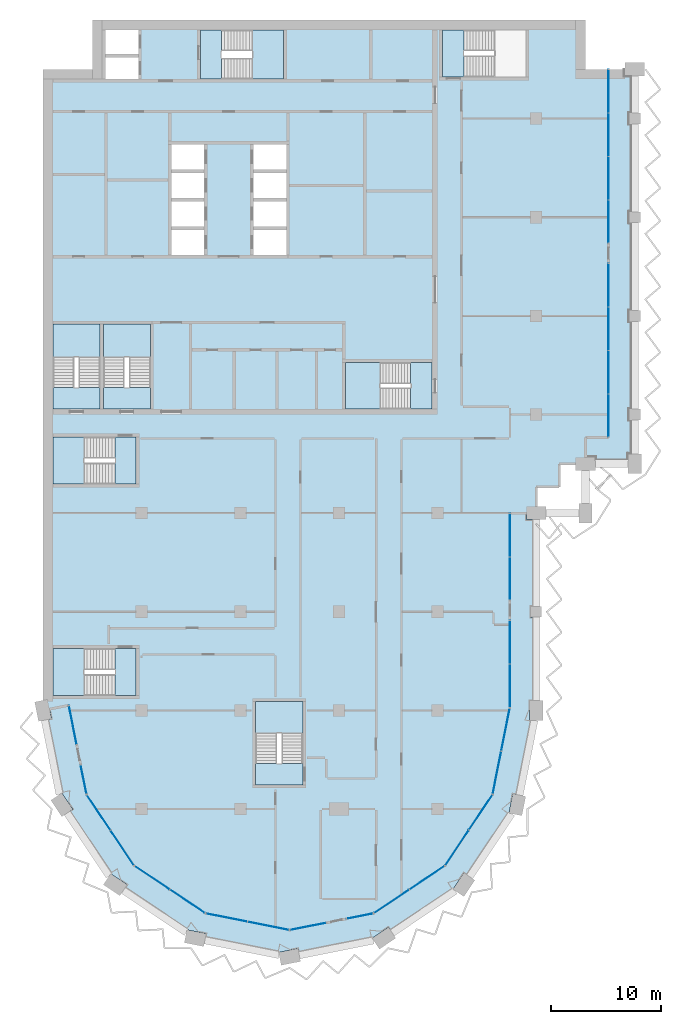
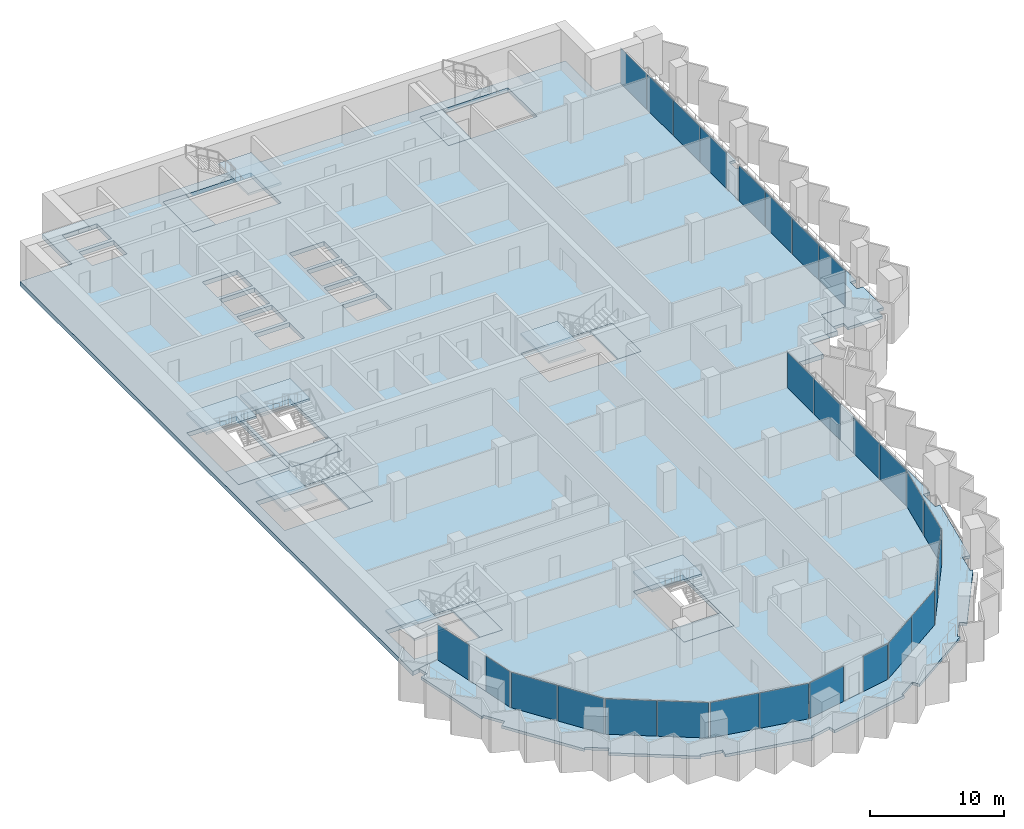
# One storey, part 6 of 17: 28 plates, 18 slabs, 21 elements without a shape of their own.
"""IFC4 building model written with IfcOpenShell, lengths in metres."""

from ifc_helpers import new_model, si_unit, direction, frame, origin, origin_2d, place, context, subcontext, project, spatial, polyline, rectangle, outline, extrude, material, layer, layer_set, type_object, element, aggregate, save


model = new_model("IFC4")

# Units and contexts
model_context = context("Model", 3, precision=1e-05, world=origin(), true_north=direction((0.0, 1.0)))
body_context = subcontext(model_context, "Body", "Model", "MODEL_VIEW")
ifc_project = project(units=[si_unit("LENGTHUNIT", "METRE"), si_unit("AREAUNIT", "SQUARE_METRE"), si_unit("VOLUMEUNIT", "CUBIC_METRE"), si_unit("PLANEANGLEUNIT", "RADIAN"), si_unit("MASSUNIT", "GRAM", prefix="KILO")], contexts=[model_context])

# Site, building, storey
site_placement = place(None, origin())
site = spatial("IfcSite", under=ifc_project, at=site_placement, CompositionType="ELEMENT")
building_placement = place(site_placement, origin())
building = spatial("IfcBuilding", under=site, at=building_placement, Name="Hunhe Ridgeline Campus", CompositionType="ELEMENT")
storey_placement = place(building_placement, frame((0.0, 0.0, 205.0)))
storey = spatial("IfcBuildingStorey", under=building, at=storey_placement, Name="L52", CompositionType="ELEMENT", Elevation=205.0)

# Curtain wall, plate
ifc_material_1 = material(Name="Aluminium 6063", Category="aluminium")
curtain_wall_type_1 = type_object("IfcCurtainWallType", Name="Curtain wall CW-5", PredefinedType="NOTDEFINED", material=ifc_material_1)
curtain_wall_1_placement = place(storey_placement, origin())
curtain_wall_1 = element("IfcCurtainWall", 1, at=curtain_wall_1_placement, inside=storey, type_object=curtain_wall_type_1, Name="Curtain wall 01", PredefinedType="NOTDEFINED")
ifc_material_2 = material(Name="Low-e laminated glass", Category="glass")
ifc_layer_1 = layer(ifc_material_2, 0.028076171875)
ifc_layer_set_1 = layer_set([ifc_layer_1], Name="Curtain wall glass panel 28 low-e laminated")
plate_type = type_object("IfcPlateType", Name="Curtain wall glass panel 28 low-e laminated", PredefinedType="CURTAIN_PANEL", material=ifc_layer_set_1)
plate_1_placement = place(storey_placement, frame((2.7158203125, 34.65380859375, 0.0), z_axis=(0.0, 0.0, 1.0), x_axis=(0.195095326561, -0.980784284924, 0.0)))
plate_1 = element("IfcPlate", 2, at=plate_1_placement, type_object=plate_type, Name="CW-5 panel 1", PredefinedType="CURTAIN_PANEL", context=body_context, shape_type="SweptSolid", body=[
    extrude(rectangle(XDim=3.560791015625, YDim=0.028076171875, at=origin_2d()), origin(), (0.0, 0.0, 1.0), 3.22998046875),
])
aggregate(curtain_wall_1, [plate_1])

curtain_wall_2_placement = place(storey_placement, origin())
curtain_wall_2 = element("IfcCurtainWall", 3, at=curtain_wall_2_placement, inside=storey, type_object=curtain_wall_type_1, Name="Curtain wall 02", PredefinedType="NOTDEFINED")
plate_2_placement = place(storey_placement, frame((3.701171875, 29.699951171875, 0.0), z_axis=(0.0, 0.0, 1.0), x_axis=(0.195095265587, -0.980784297053, 0.0)))
plate_2 = element("IfcPlate", 4, at=plate_2_placement, type_object=plate_type, Name="CW-5 panel 1", PredefinedType="CURTAIN_PANEL", context=body_context, shape_type="SweptSolid", body=[
    extrude(rectangle(XDim=2.660888671875, YDim=0.028076171875, at=origin_2d()), origin(), (0.0, 0.0, 1.0), 3.22998046875),
])
aggregate(curtain_wall_2, [plate_2])

# Curtain wall, plates
curtain_wall_3_placement = place(storey_placement, origin())
curtain_wall_3 = element("IfcCurtainWall", 5, at=curtain_wall_3_placement, inside=storey, type_object=curtain_wall_type_1, Name="Curtain wall 03", PredefinedType="NOTDEFINED")
plate_3_placement = place(storey_placement, frame((5.07080078125, 26.685546875, 0.0), z_axis=(0.0, 0.0, 1.0), x_axis=(0.555570274596, -0.831469584522, 0.0)))
plate_3 = element("IfcPlate", 6, at=plate_3_placement, type_object=plate_type, Name="CW-5 panel 1", PredefinedType="CURTAIN_PANEL", context=body_context, shape_type="SweptSolid", body=[
    extrude(rectangle(XDim=3.806884765625, YDim=0.028076171875, at=origin_2d()), origin(), (0.0, 0.0, 1.0), 3.22998046875),
])
plate_4_placement = place(storey_placement, frame((7.224609375, 23.4619140625, 0.0), z_axis=(0.0, 0.0, 1.0), x_axis=(0.555570274596, -0.831469584522, 0.0)))
plate_4 = element("IfcPlate", 7, at=plate_4_placement, type_object=plate_type, Name="CW-5 panel 2", PredefinedType="CURTAIN_PANEL", context=body_context, shape_type="SweptSolid", body=[
    extrude(rectangle(XDim=3.806884765625, YDim=0.028076171875, at=origin_2d()), origin(), (0.0, 0.0, 1.0), 3.22998046875),
])
aggregate(curtain_wall_3, [plate_3, plate_4])

curtain_wall_4_placement = place(storey_placement, origin())
curtain_wall_4 = element("IfcCurtainWall", 8, at=curtain_wall_4_placement, inside=storey, type_object=curtain_wall_type_1, Name="Curtain wall 04", PredefinedType="NOTDEFINED")
plate_5_placement = place(storey_placement, frame((9.9619140625, 20.724609375, 0.0), z_axis=(0.0, 0.0, 1.0), x_axis=(0.831469584522, -0.555570274596, 0.0)))
plate_5 = element("IfcPlate", 9, at=plate_5_placement, type_object=plate_type, Name="CW-5 panel 1", PredefinedType="CURTAIN_PANEL", context=body_context, shape_type="SweptSolid", body=[
    extrude(rectangle(XDim=3.806884765625, YDim=0.028076171875, at=origin_2d()), origin(), (0.0, 0.0, 1.0), 3.22998046875),
])
plate_6_placement = place(storey_placement, frame((13.185546875, 18.57080078125, 0.0), z_axis=(0.0, 0.0, 1.0), x_axis=(0.831469584522, -0.555570274596, 0.0)))
plate_6 = element("IfcPlate", 10, at=plate_6_placement, type_object=plate_type, Name="CW-5 panel 2", PredefinedType="CURTAIN_PANEL", context=body_context, shape_type="SweptSolid", body=[
    extrude(rectangle(XDim=3.806884765625, YDim=0.028076171875, at=origin_2d()), origin(), (0.0, 0.0, 1.0), 3.22998046875),
])
aggregate(curtain_wall_4, [plate_5, plate_6])

curtain_wall_5_placement = place(storey_placement, origin())
curtain_wall_5 = element("IfcCurtainWall", 11, at=curtain_wall_5_placement, inside=storey, type_object=curtain_wall_type_1, Name="Curtain wall 05", PredefinedType="NOTDEFINED")
plate_7_placement = place(storey_placement, frame((16.761962890625, 17.08935546875, 0.0), z_axis=(0.0, 0.0, 1.0), x_axis=(0.980785275326, -0.195090347539, 0.0)))
plate_7 = element("IfcPlate", 12, at=plate_7_placement, type_object=plate_type, Name="CW-5 panel 1", PredefinedType="CURTAIN_PANEL", context=body_context, shape_type="SweptSolid", body=[
    extrude(rectangle(XDim=3.806884765625, YDim=0.028076171875, at=origin_2d()), origin(), (0.0, 0.0, 1.0), 3.22998046875),
])
plate_8_placement = place(storey_placement, frame((20.564453125, 16.3330078125, 0.0), z_axis=(0.0, 0.0, 1.0), x_axis=(0.980785275326, -0.195090347539, 0.0)))
plate_8 = element("IfcPlate", 13, at=plate_8_placement, type_object=plate_type, Name="CW-5 panel 2", PredefinedType="CURTAIN_PANEL", context=body_context, shape_type="SweptSolid", body=[
    extrude(rectangle(XDim=3.806884765625, YDim=0.028076171875, at=origin_2d()), origin(), (0.0, 0.0, 1.0), 3.22998046875),
])
aggregate(curtain_wall_5, [plate_7, plate_8])

# Curtain wall, plate
curtain_wall_6_placement = place(storey_placement, origin())
curtain_wall_6 = element("IfcCurtainWall", 14, at=curtain_wall_6_placement, inside=storey, type_object=curtain_wall_type_1, Name="Curtain wall 06", PredefinedType="NOTDEFINED")
plate_9_placement = place(storey_placement, frame((24.19775390625, 16.28564453125, 0.0), z_axis=(0.0, 0.0, 1.0), x_axis=(0.980785270791, 0.19509037034, 0.0)))
plate_9 = element("IfcPlate", 15, at=plate_9_placement, type_object=plate_type, Name="CW-5 panel 1", PredefinedType="CURTAIN_PANEL", context=body_context, shape_type="SweptSolid", body=[
    extrude(rectangle(XDim=3.322021484375, YDim=0.028076171875, at=origin_2d()), origin(), (0.0, 0.0, 1.0), 3.22998046875),
])
aggregate(curtain_wall_6, [plate_9])

curtain_wall_7_placement = place(storey_placement, origin())
curtain_wall_7 = element("IfcCurtainWall", 16, at=curtain_wall_7_placement, inside=storey, type_object=curtain_wall_type_1, Name="Curtain wall 07", PredefinedType="NOTDEFINED")
plate_10_placement = place(storey_placement, frame((28.917236328125, 17.224609375, 0.0), z_axis=(0.0, 0.0, 1.0), x_axis=(0.980785242091, 0.195090514627, 0.0)))
plate_10 = element("IfcPlate", 17, at=plate_10_placement, type_object=plate_type, Name="CW-5 panel 1", PredefinedType="CURTAIN_PANEL", context=body_context, shape_type="SweptSolid", body=[
    extrude(rectangle(XDim=2.421875, YDim=0.028076171875, at=origin_2d()), origin(), (0.0, 0.0, 1.0), 3.22998046875),
])
aggregate(curtain_wall_7, [plate_10])

# Curtain wall, plates
curtain_wall_8_placement = place(storey_placement, origin())
curtain_wall_8 = element("IfcCurtainWall", 18, at=curtain_wall_8_placement, inside=storey, type_object=curtain_wall_type_1, Name="Curtain wall 08", PredefinedType="NOTDEFINED")
plate_11_placement = place(storey_placement, frame((31.814453125, 18.57080078125, 0.0), z_axis=(0.0, 0.0, 1.0), x_axis=(0.831469584522, 0.555570274596, 0.0)))
plate_11 = element("IfcPlate", 19, at=plate_11_placement, type_object=plate_type, Name="CW-5 panel 1", PredefinedType="CURTAIN_PANEL", context=body_context, shape_type="SweptSolid", body=[
    extrude(rectangle(XDim=3.806884765625, YDim=0.028076171875, at=origin_2d()), origin(), (0.0, 0.0, 1.0), 3.22998046875),
])
plate_12_placement = place(storey_placement, frame((35.0380859375, 20.724609375, 0.0), z_axis=(0.0, 0.0, 1.0), x_axis=(0.831469584522, 0.555570274596, 0.0)))
plate_12 = element("IfcPlate", 20, at=plate_12_placement, type_object=plate_type, Name="CW-5 panel 2", PredefinedType="CURTAIN_PANEL", context=body_context, shape_type="SweptSolid", body=[
    extrude(rectangle(XDim=3.806884765625, YDim=0.028076171875, at=origin_2d()), origin(), (0.0, 0.0, 1.0), 3.22998046875),
])
aggregate(curtain_wall_8, [plate_11, plate_12])

curtain_wall_9_placement = place(storey_placement, origin())
curtain_wall_9 = element("IfcCurtainWall", 21, at=curtain_wall_9_placement, inside=storey, type_object=curtain_wall_type_1, Name="Curtain wall 09", PredefinedType="NOTDEFINED")
plate_13_placement = place(storey_placement, frame((37.775390625, 23.4619140625, 0.0), z_axis=(0.0, 0.0, 1.0), x_axis=(0.555570274596, 0.831469584522, 0.0)))
plate_13 = element("IfcPlate", 22, at=plate_13_placement, type_object=plate_type, Name="CW-5 panel 1", PredefinedType="CURTAIN_PANEL", context=body_context, shape_type="SweptSolid", body=[
    extrude(rectangle(XDim=3.806884765625, YDim=0.028076171875, at=origin_2d()), origin(), (0.0, 0.0, 1.0), 3.22998046875),
])
plate_14_placement = place(storey_placement, frame((39.92919921875, 26.685546875, 0.0), z_axis=(0.0, 0.0, 1.0), x_axis=(0.555570274596, 0.831469584522, 0.0)))
plate_14 = element("IfcPlate", 23, at=plate_14_placement, type_object=plate_type, Name="CW-5 panel 2", PredefinedType="CURTAIN_PANEL", context=body_context, shape_type="SweptSolid", body=[
    extrude(rectangle(XDim=3.806884765625, YDim=0.028076171875, at=origin_2d()), origin(), (0.0, 0.0, 1.0), 3.22998046875),
])
aggregate(curtain_wall_9, [plate_13, plate_14])

curtain_wall_10_placement = place(storey_placement, origin())
curtain_wall_10 = element("IfcCurtainWall", 24, at=curtain_wall_10_placement, inside=storey, type_object=curtain_wall_type_1, Name="Curtain wall 10", PredefinedType="NOTDEFINED")
plate_15_placement = place(storey_placement, frame((41.42236328125, 30.321044921875, 0.0), z_axis=(0.0, 0.0, 1.0), x_axis=(0.195090299215, 0.980785284939, 0.0)))
plate_15 = element("IfcPlate", 25, at=plate_15_placement, type_object=plate_type, Name="CW-5 panel 1", PredefinedType="CURTAIN_PANEL", context=body_context, shape_type="SweptSolid", body=[
    extrude(rectangle(XDim=3.927490234375, YDim=0.028076171875, at=origin_2d()), origin(), (0.0, 0.0, 1.0), 3.22998046875),
])
plate_16_placement = place(storey_placement, frame((42.2021484375, 34.24169921875, 0.0), z_axis=(0.0, 0.0, 1.0), x_axis=(0.195090299215, 0.980785284939, 0.0)))
plate_16 = element("IfcPlate", 26, at=plate_16_placement, type_object=plate_type, Name="CW-5 panel 2", PredefinedType="CURTAIN_PANEL", context=body_context, shape_type="SweptSolid", body=[
    extrude(rectangle(XDim=3.927490234375, YDim=0.028076171875, at=origin_2d()), origin(), (0.0, 0.0, 1.0), 3.22998046875),
])
aggregate(curtain_wall_10, [plate_15, plate_16])

curtain_wall_type_2 = type_object("IfcCurtainWallType", Name="Curtain wall CW-1", PredefinedType="NOTDEFINED", material=ifc_material_1)
curtain_wall_11_placement = place(storey_placement, origin())
curtain_wall_11 = element("IfcCurtainWall", 27, at=curtain_wall_11_placement, inside=storey, type_object=curtain_wall_type_2, Name="Curtain wall 11", PredefinedType="NOTDEFINED")
plate_17_placement = place(storey_placement, frame((42.59912109375, 38.2470703125, 0.0), z_axis=(0.0, 0.0, 1.0), x_axis=(6.639948e-06, 0.999999999978, 0.0)))
plate_17 = element("IfcPlate", 28, at=plate_17_placement, type_object=plate_type, Name="CW-1 panel 1", PredefinedType="CURTAIN_PANEL", context=body_context, shape_type="SweptSolid", body=[
    extrude(rectangle(XDim=3.90087890625, YDim=0.028076171875, at=origin_2d()), origin(), (0.0, 0.0, 1.0), 3.239990234375),
])
plate_18_placement = place(storey_placement, frame((42.59912109375, 42.2080078125, 0.0), z_axis=(0.0, 0.0, 1.0), x_axis=(6.639948e-06, 0.999999999978, 0.0)))
plate_18 = element("IfcPlate", 29, at=plate_18_placement, type_object=plate_type, Name="CW-1 panel 2", PredefinedType="CURTAIN_PANEL", context=body_context, shape_type="SweptSolid", body=[
    extrude(rectangle(XDim=3.90087890625, YDim=0.028076171875, at=origin_2d()), origin(), (0.0, 0.0, 1.0), 3.239990234375),
])
aggregate(curtain_wall_11, [plate_17, plate_18])

curtain_wall_12_placement = place(storey_placement, origin())
curtain_wall_12 = element("IfcCurtainWall", 30, at=curtain_wall_12_placement, inside=storey, type_object=curtain_wall_type_2, Name="Curtain wall 12", PredefinedType="NOTDEFINED")
plate_19_placement = place(storey_placement, frame((42.59912109375, 48.029052734375, 0.0), z_axis=(0.0, 0.0, 1.0), x_axis=(6.639948e-06, 0.999999999978, 0.0)))
plate_19 = element("IfcPlate", 31, at=plate_19_placement, type_object=plate_type, Name="CW-1 panel 1", PredefinedType="CURTAIN_PANEL", context=body_context, shape_type="SweptSolid", body=[
    extrude(rectangle(XDim=3.90087890625, YDim=0.028076171875, at=origin_2d()), origin(), (0.0, 0.0, 1.0), 3.239990234375),
])
plate_20_placement = place(storey_placement, frame((42.59912109375, 51.989990234375, 0.0), z_axis=(0.0, 0.0, 1.0), x_axis=(6.639948e-06, 0.999999999978, 0.0)))
plate_20 = element("IfcPlate", 32, at=plate_20_placement, type_object=plate_type, Name="CW-1 panel 2", PredefinedType="CURTAIN_PANEL", context=body_context, shape_type="SweptSolid", body=[
    extrude(rectangle(XDim=3.90087890625, YDim=0.028076171875, at=origin_2d()), origin(), (0.0, 0.0, 1.0), 3.239990234375),
])
aggregate(curtain_wall_12, [plate_19, plate_20])

curtain_wall_13_placement = place(storey_placement, origin())
curtain_wall_13 = element("IfcCurtainWall", 33, at=curtain_wall_13_placement, inside=storey, type_object=curtain_wall_type_2, Name="Curtain wall 13", PredefinedType="NOTDEFINED")
plate_21_placement = place(storey_placement, frame((51.59912109375, 62.9033203125, 0.0), z_axis=(0.0, 0.0, 1.0), x_axis=(0.0, 1.0, 0.0)))
plate_21 = element("IfcPlate", 34, at=plate_21_placement, type_object=plate_type, Name="CW-1 panel 1", PredefinedType="CURTAIN_PANEL", context=body_context, shape_type="SweptSolid", body=[
    extrude(rectangle(XDim=3.884765625, YDim=0.028076171875, at=origin_2d()), origin(), (0.0, 0.0, 1.0), 3.239990234375),
])
plate_22_placement = place(storey_placement, frame((51.59912109375, 66.86328125, 0.0), z_axis=(0.0, 0.0, 1.0), x_axis=(0.0, 1.0, 0.0)))
plate_22 = element("IfcPlate", 35, at=plate_22_placement, type_object=plate_type, Name="CW-1 panel 2", PredefinedType="CURTAIN_PANEL", context=body_context, shape_type="SweptSolid", body=[
    extrude(rectangle(XDim=3.914794921875, YDim=0.028076171875, at=origin_2d()), origin(), (0.0, 0.0, 1.0), 3.239990234375),
])
plate_23_placement = place(storey_placement, frame((51.59912109375, 70.838134765625, 0.0), z_axis=(0.0, 0.0, 1.0), x_axis=(0.0, 1.0, 0.0)))
plate_23 = element("IfcPlate", 36, at=plate_23_placement, type_object=plate_type, Name="CW-1 panel 3", PredefinedType="CURTAIN_PANEL", context=body_context, shape_type="SweptSolid", body=[
    extrude(rectangle(XDim=3.914794921875, YDim=0.028076171875, at=origin_2d()), origin(), (0.0, 0.0, 1.0), 3.239990234375),
])
plate_24_placement = place(storey_placement, frame((51.59912109375, 74.798095703125, 0.0), z_axis=(0.0, 0.0, 1.0), x_axis=(0.0, 1.0, 0.0)))
plate_24 = element("IfcPlate", 37, at=plate_24_placement, type_object=plate_type, Name="CW-1 panel 4", PredefinedType="CURTAIN_PANEL", context=body_context, shape_type="SweptSolid", body=[
    extrude(rectangle(XDim=3.884765625, YDim=0.028076171875, at=origin_2d()), origin(), (0.0, 0.0, 1.0), 3.239990234375),
])
aggregate(curtain_wall_13, [plate_21, plate_22, plate_23, plate_24])

curtain_wall_14_placement = place(storey_placement, origin())
curtain_wall_14 = element("IfcCurtainWall", 38, at=curtain_wall_14_placement, inside=storey, type_object=curtain_wall_type_2, Name="Curtain wall 14", PredefinedType="NOTDEFINED")
plate_25_placement = place(storey_placement, frame((51.59912109375, 80.60302734375, 0.0), z_axis=(0.0, 0.0, 1.0), x_axis=(0.0, 1.0, 0.0)))
plate_25 = element("IfcPlate", 39, at=plate_25_placement, type_object=plate_type, Name="CW-1 panel 1", PredefinedType="CURTAIN_PANEL", context=body_context, shape_type="SweptSolid", body=[
    extrude(rectangle(XDim=3.884765625, YDim=0.028076171875, at=origin_2d()), origin(), (0.0, 0.0, 1.0), 3.239990234375),
])
plate_26_placement = place(storey_placement, frame((51.59912109375, 84.562744140625, 0.0), z_axis=(0.0, 0.0, 1.0), x_axis=(0.0, 1.0, 0.0)))
plate_26 = element("IfcPlate", 40, at=plate_26_placement, type_object=plate_type, Name="CW-1 panel 2", PredefinedType="CURTAIN_PANEL", context=body_context, shape_type="SweptSolid", body=[
    extrude(rectangle(XDim=3.914794921875, YDim=0.028076171875, at=origin_2d()), origin(), (0.0, 0.0, 1.0), 3.239990234375),
])
plate_27_placement = place(storey_placement, frame((51.59912109375, 88.53759765625, 0.0), z_axis=(0.0, 0.0, 1.0), x_axis=(0.0, 1.0, 0.0)))
plate_27 = element("IfcPlate", 41, at=plate_27_placement, type_object=plate_type, Name="CW-1 panel 3", PredefinedType="CURTAIN_PANEL", context=body_context, shape_type="SweptSolid", body=[
    extrude(rectangle(XDim=3.914794921875, YDim=0.028076171875, at=origin_2d()), origin(), (0.0, 0.0, 1.0), 3.239990234375),
])
plate_28_placement = place(storey_placement, frame((51.59912109375, 92.49755859375, 0.0), z_axis=(0.0, 0.0, 1.0), x_axis=(0.0, 1.0, 0.0)))
plate_28 = element("IfcPlate", 42, at=plate_28_placement, type_object=plate_type, Name="CW-1 panel 4", PredefinedType="CURTAIN_PANEL", context=body_context, shape_type="SweptSolid", body=[
    extrude(rectangle(XDim=3.884765625, YDim=0.028076171875, at=origin_2d()), origin(), (0.0, 0.0, 1.0), 3.239990234375),
])
aggregate(curtain_wall_14, [plate_25, plate_26, plate_27, plate_28])

# Slabs
ifc_material_3 = material(Name="Concrete C40", Category="concrete")
ifc_layer_2 = layer(ifc_material_3, 0.39990234375)
ifc_layer_set_2 = layer_set([ifc_layer_2], Name="Floor slab 400 Concrete C40")
slab_type_1 = type_object("IfcSlabType", Name="Floor slab 400 Concrete C40", PredefinedType="FLOOR", material=ifc_layer_set_2)
slab_1_placement = place(storey_placement, frame((0.0, 0.0, -0.39990234375)))
element("IfcSlab", 43, at=slab_1_placement, inside=storey, type_object=slab_type_1, Name="Floor slab L52 1", PredefinedType="FLOOR", context=body_context, shape_type="SweptSolid", body=[
    extrude(outline(polyline([(30.173583984375, 17.474365234375), (36.678955078125, 21.821044921875), (41.025634765625, 28.326416015625), (42.59912109375, 36.236572265625), (42.59912109375, 54.00048828125), (44.9990234375, 54.0009765625), (44.999267578125, 56.400634765625), (47.09912109375, 56.40087890625), (47.099609375, 58.5009765625), (49.4990234375, 58.5009765625), (49.49951171875, 60.90087890625), (51.59912109375, 60.90087890625), (51.59912109375, 94.5), (49.5, 94.5), (49.5, 99.0), (4.5, 99.0), (4.5, 94.5), (0.0, 94.5), (0.0, 36.0009765625), (2.354736328125, 36.46875), (3.974365234375, 28.326416015625), (8.321044921875, 21.821044921875), (14.826416015625, 17.474365234375), (22.5, 15.947998046875), (30.173583984375, 17.474365234375)]), holes=[polyline([(36.449951171875, 93.800048828125), (44.050048828125, 93.800048828125), (44.050048828125, 98.10009765625), (36.449951171875, 98.10009765625), (36.449951171875, 93.800048828125)]), polyline([(35.5, 63.5), (35.5, 67.75), (27.60009765625, 67.75), (27.60009765625, 63.5), (35.5, 63.5)]), polyline([(19.39990234375, 29.199951171875), (23.699951171875, 29.199951171875), (23.699951171875, 36.800048828125), (19.39990234375, 36.800048828125), (19.39990234375, 29.199951171875)]), polyline([(22.199951171875, 80.14990234375), (22.199951171875, 82.449951171875), (19.199951171875, 82.449951171875), (19.199951171875, 80.14990234375), (22.199951171875, 80.14990234375)]), polyline([(22.199951171875, 79.85009765625), (19.199951171875, 79.85009765625), (19.199951171875, 77.550048828125), (22.199951171875, 77.550048828125), (22.199951171875, 79.85009765625)]), polyline([(19.199951171875, 87.64990234375), (19.199951171875, 85.35009765625), (22.199951171875, 85.35009765625), (22.199951171875, 87.64990234375), (19.199951171875, 87.64990234375)]), polyline([(19.199951171875, 82.75), (22.199951171875, 82.75), (22.199951171875, 85.050048828125), (19.199951171875, 85.050048828125), (19.199951171875, 82.75)]), polyline([(14.35009765625, 93.60009765625), (21.949951171875, 93.60009765625), (21.949951171875, 98.10009765625), (14.35009765625, 98.10009765625), (14.35009765625, 93.60009765625)]), polyline([(14.699951171875, 79.85009765625), (11.699951171875, 79.85009765625), (11.699951171875, 77.550048828125), (14.699951171875, 77.550048828125), (14.699951171875, 79.85009765625)]), polyline([(14.699951171875, 80.14990234375), (14.699951171875, 82.449951171875), (11.699951171875, 82.449951171875), (11.699951171875, 80.14990234375), (14.699951171875, 80.14990234375)]), polyline([(11.699951171875, 87.64990234375), (11.699951171875, 85.35009765625), (14.699951171875, 85.35009765625), (14.699951171875, 87.64990234375), (11.699951171875, 87.64990234375)]), polyline([(11.699951171875, 82.75), (14.699951171875, 82.75), (14.699951171875, 85.050048828125), (11.699951171875, 85.050048828125), (11.699951171875, 82.75)]), polyline([(9.800048828125, 71.25), (5.5, 71.25), (5.5, 63.5), (9.800048828125, 63.5), (9.800048828125, 71.25)]), polyline([(8.699951171875, 95.89990234375), (8.699951171875, 98.10009765625), (5.699951171875, 98.10009765625), (5.699951171875, 95.89990234375), (8.699951171875, 95.89990234375)]), polyline([(8.699951171875, 95.60009765625), (5.699951171875, 95.60009765625), (5.699951171875, 93.60009765625), (8.699951171875, 93.60009765625), (8.699951171875, 95.60009765625)]), polyline([(0.89990234375, 37.35009765625), (8.5, 37.35009765625), (8.5, 41.64990234375), (0.89990234375, 41.64990234375), (0.89990234375, 37.35009765625)]), polyline([(0.89990234375, 60.949951171875), (0.89990234375, 56.64990234375), (8.5, 56.64990234375), (8.5, 60.949951171875), (0.89990234375, 60.949951171875)]), polyline([(0.89990234375, 71.25), (0.89990234375, 63.5), (5.199951171875, 63.5), (5.199951171875, 71.25), (0.89990234375, 71.25)])]), origin(), (0.0, 0.0, 1.0), 0.39990234375),
])
ifc_layer_3 = layer(ifc_material_3, 0.25)
ifc_layer_set_3 = layer_set([ifc_layer_3], Name="Loggia slab 250 Concrete C40")
slab_type_2 = type_object("IfcSlabType", Name="Loggia slab 250 Concrete C40", PredefinedType="FLOOR", material=ifc_layer_set_3)
slab_2_placement = place(storey_placement, frame((0.0, 0.0, -0.25)))
element("IfcSlab", 44, at=slab_2_placement, inside=storey, type_object=slab_type_2, Name="Loggia slab 1", PredefinedType="FLOOR", context=body_context, shape_type="SweptSolid", body=[
    extrude(outline(polyline([(30.173828125, 17.473388671875), (22.5, 15.947021484375), (14.826171875, 17.473388671875), (8.3203125, 21.8203125), (3.973388671875, 28.326171875), (2.35400390625, 36.46826171875), (0.58837890625, 36.116943359375), (0.76416015625, 35.234375), (0.175537109375, 35.1171875), (1.522705078125, 28.344970703125), (1.711669921875, 28.47119140625), (2.711669921875, 26.974609375), (2.212646484375, 26.641357421875), (6.048828125, 20.900146484375), (6.175048828125, 21.089111328125), (7.671875, 20.0888671875), (7.33837890625, 19.590087890625), (13.07958984375, 15.75390625), (13.1240234375, 15.976806640625), (14.889404296875, 15.62548828125), (14.772216796875, 15.037109375), (21.544677734375, 13.68994140625), (21.500244140625, 13.912841796875), (23.265625, 14.26416015625), (23.3828125, 13.675537109375), (30.155029296875, 15.022705078125), (30.02880859375, 15.211669921875), (31.525390625, 16.211669921875), (31.858642578125, 15.712646484375), (37.599853515625, 19.548828125), (37.410888671875, 19.675048828125), (38.4111328125, 21.171875), (38.909912109375, 20.83837890625), (42.74609375, 26.57958984375), (42.523193359375, 26.6240234375), (42.87451171875, 28.389404296875), (43.462890625, 28.272216796875), (44.821044921875, 35.10009765625), (44.39990234375, 35.10009765625), (44.39990234375, 36.89990234375), (45.0, 36.89990234375), (45.0, 44.5), (44.5, 44.5), (44.5, 45.5), (45.0, 45.5), (45.0, 53.39990234375), (44.10009765625, 53.39990234375), (44.10009765625, 54.0), (42.60009765625, 54.0), (42.60009765625, 36.236328125), (41.026611328125, 28.326171875), (36.6796875, 21.8203125), (30.173828125, 17.473388671875)])), origin(), (0.0, 0.0, 1.0), 0.25),
])
slab_3_placement = place(storey_placement, frame((0.0, 0.0, -0.25)))
element("IfcSlab", 45, at=slab_3_placement, inside=storey, type_object=slab_type_2, Name="Loggia slab 2", PredefinedType="FLOOR", context=body_context, shape_type="SweptSolid", body=[
    extrude(outline(polyline([(49.5, 59.10009765625), (50.39990234375, 59.10009765625), (50.39990234375, 58.5), (53.39990234375, 58.5), (53.39990234375, 59.39990234375), (54.0, 59.39990234375), (54.0, 62.5), (53.5, 62.5), (53.5, 63.5), (54.0, 63.5), (54.0, 71.5), (53.5, 71.5), (53.5, 72.5), (54.0, 72.5), (54.0, 80.5), (53.5, 80.5), (53.5, 81.5), (54.0, 81.5), (54.0, 89.5), (53.5, 89.5), (53.5, 90.5), (54.0, 90.5), (54.0, 93.89990234375), (53.10009765625, 93.89990234375), (53.10009765625, 94.5), (51.60009765625, 94.5), (51.60009765625, 60.89990234375), (49.5, 60.89990234375), (49.5, 59.10009765625)])), origin(), (0.0, 0.0, 1.0), 0.25),
])

# Stair, slab
stair_type = type_object("IfcStairType", Name="Reinforced concrete dog-leg stair 1950 Concrete C40", PredefinedType="HALF_TURN_STAIR", material=ifc_material_3)
stair_1_placement = place(storey_placement, origin())
stair_1 = element("IfcStair", 46, at=stair_1_placement, inside=storey, type_object=stair_type, Name="L52 S1", PredefinedType="HALF_TURN_STAIR")
ifc_layer_4 = layer(ifc_material_3, 0.199951171875)
ifc_layer_set_4 = layer_set([ifc_layer_4], Name="Reinforced concrete stair landing 200 Concrete C40")
slab_type_3 = type_object("IfcSlabType", Name="Reinforced concrete stair landing 200 Concrete C40", PredefinedType="LANDING", material=ifc_layer_set_4)
slab_4_placement = place(storey_placement, frame((0.0, 0.0, 1.64990234375)))
slab_4 = element("IfcSlab", 47, at=slab_4_placement, type_object=slab_type_3, Name="ST1 landing 1", PredefinedType="LANDING", context=body_context, shape_type="SweptSolid", body=[
    extrude(outline(polyline([(19.10009765625, 93.60009765625), (21.949951171875, 93.60009765625), (21.949951171875, 98.10009765625), (19.10009765625, 98.10009765625), (19.10009765625, 93.60009765625)])), origin(), (0.0, 0.0, 1.0), 0.2001953125),
])
aggregate(stair_1, [slab_4])

# Slab
slab_5_placement = place(storey_placement, frame((0.0, 0.0, -0.199951171875)))
element("IfcSlab", 48, at=slab_5_placement, inside=storey, type_object=slab_type_3, Name="L52 stair S1 floor landing", PredefinedType="LANDING", context=body_context, shape_type="SweptSolid", body=[
    extrude(outline(polyline([(14.35009765625, 93.60009765625), (16.300048828125, 93.60009765625), (16.300048828125, 98.10009765625), (14.35009765625, 98.10009765625), (14.35009765625, 93.60009765625)])), origin(), (0.0, 0.0, 1.0), 0.199951171875),
])

# Stair, slab
stair_2_placement = place(storey_placement, origin())
stair_2 = element("IfcStair", 49, at=stair_2_placement, inside=storey, type_object=stair_type, Name="L52 S2", PredefinedType="HALF_TURN_STAIR")
slab_6_placement = place(storey_placement, frame((0.0, 0.0, 1.64990234375)))
slab_6 = element("IfcSlab", 50, at=slab_6_placement, type_object=slab_type_3, Name="ST2 landing 1", PredefinedType="LANDING", context=body_context, shape_type="SweptSolid", body=[
    extrude(outline(polyline([(30.75, 67.75), (27.60009765625, 67.75), (27.60009765625, 63.5), (30.75, 63.5), (30.75, 67.75)])), origin(), (0.0, 0.0, 1.0), 0.2001953125),
])
aggregate(stair_2, [slab_6])

# Slab
slab_7_placement = place(storey_placement, frame((0.0, 0.0, -0.199951171875)))
element("IfcSlab", 51, at=slab_7_placement, inside=storey, type_object=slab_type_3, Name="L52 stair S2 floor landing", PredefinedType="LANDING", context=body_context, shape_type="SweptSolid", body=[
    extrude(outline(polyline([(35.5, 67.75), (33.550048828125, 67.75), (33.550048828125, 63.5), (35.5, 63.5), (35.5, 67.75)])), origin(), (0.0, 0.0, 1.0), 0.199951171875),
])

# Stair, slab
stair_3_placement = place(storey_placement, origin())
stair_3 = element("IfcStair", 52, at=stair_3_placement, inside=storey, type_object=stair_type, Name="L52 S3", PredefinedType="HALF_TURN_STAIR")
slab_8_placement = place(storey_placement, frame((0.0, 0.0, 1.64990234375)))
slab_8 = element("IfcSlab", 53, at=slab_8_placement, type_object=slab_type_3, Name="ST3 landing 1", PredefinedType="LANDING", context=body_context, shape_type="SweptSolid", body=[
    extrude(outline(polyline([(5.199951171875, 68.25), (5.199951171875, 71.25), (0.89990234375, 71.25), (0.89990234375, 68.25), (5.199951171875, 68.25)])), origin(), (0.0, 0.0, 1.0), 0.2001953125),
])
aggregate(stair_3, [slab_8])

# Slab
slab_9_placement = place(storey_placement, frame((0.0, 0.0, -0.199951171875)))
element("IfcSlab", 54, at=slab_9_placement, inside=storey, type_object=slab_type_3, Name="L52 stair S3 floor landing", PredefinedType="LANDING", context=body_context, shape_type="SweptSolid", body=[
    extrude(outline(polyline([(5.199951171875, 63.5), (5.199951171875, 65.449951171875), (0.89990234375, 65.449951171875), (0.89990234375, 63.5), (5.199951171875, 63.5)])), origin(), (0.0, 0.0, 1.0), 0.199951171875),
])

# Stair, slab
stair_4_placement = place(storey_placement, origin())
stair_4 = element("IfcStair", 55, at=stair_4_placement, inside=storey, type_object=stair_type, Name="L52 S4", PredefinedType="HALF_TURN_STAIR")
slab_10_placement = place(storey_placement, frame((0.0, 0.0, 1.64990234375)))
slab_10 = element("IfcSlab", 56, at=slab_10_placement, type_object=slab_type_3, Name="ST4 landing 1", PredefinedType="LANDING", context=body_context, shape_type="SweptSolid", body=[
    extrude(outline(polyline([(9.800048828125, 68.25), (9.800048828125, 71.25), (5.5, 71.25), (5.5, 68.25), (9.800048828125, 68.25)])), origin(), (0.0, 0.0, 1.0), 0.2001953125),
])
aggregate(stair_4, [slab_10])

# Slabs
slab_11_placement = place(storey_placement, frame((0.0, 0.0, -0.199951171875)))
element("IfcSlab", 57, at=slab_11_placement, inside=storey, type_object=slab_type_3, Name="L52 stair S4 floor landing", PredefinedType="LANDING", context=body_context, shape_type="SweptSolid", body=[
    extrude(outline(polyline([(9.800048828125, 63.5), (9.800048828125, 65.449951171875), (5.5, 65.449951171875), (5.5, 63.5), (9.800048828125, 63.5)])), origin(), (0.0, 0.0, 1.0), 0.199951171875),
])
slab_12_placement = place(storey_placement, frame((0.0, 0.0, -0.199951171875)))
element("IfcSlab", 58, at=slab_12_placement, inside=storey, type_object=slab_type_3, Name="L52 stair E1 floor landing", PredefinedType="LANDING", context=body_context, shape_type="SweptSolid", body=[
    extrude(outline(polyline([(36.449951171875, 93.800048828125), (38.39990234375, 93.800048828125), (38.39990234375, 98.10009765625), (36.449951171875, 98.10009765625), (36.449951171875, 93.800048828125)])), origin(), (0.0, 0.0, 1.0), 0.199951171875),
])

# Stair, slab
stair_5_placement = place(storey_placement, origin())
stair_5 = element("IfcStair", 59, at=stair_5_placement, inside=storey, type_object=stair_type, Name="L52 W3", PredefinedType="HALF_TURN_STAIR")
slab_13_placement = place(storey_placement, frame((0.0, 0.0, 1.64990234375)))
slab_13 = element("IfcSlab", 60, at=slab_13_placement, type_object=slab_type_3, Name="ST9 landing 1", PredefinedType="LANDING", context=body_context, shape_type="SweptSolid", body=[
    extrude(outline(polyline([(23.699951171875, 33.949951171875), (23.699951171875, 36.800048828125), (19.39990234375, 36.800048828125), (19.39990234375, 33.949951171875), (23.699951171875, 33.949951171875)])), origin(), (0.0, 0.0, 1.0), 0.2001953125),
])
aggregate(stair_5, [slab_13])

# Slab
slab_14_placement = place(storey_placement, frame((0.0, 0.0, -0.199951171875)))
element("IfcSlab", 61, at=slab_14_placement, inside=storey, type_object=slab_type_3, Name="L52 stair W3 floor landing", PredefinedType="LANDING", context=body_context, shape_type="SweptSolid", body=[
    extrude(outline(polyline([(23.699951171875, 29.199951171875), (23.699951171875, 31.14990234375), (19.39990234375, 31.14990234375), (19.39990234375, 29.199951171875), (23.699951171875, 29.199951171875)])), origin(), (0.0, 0.0, 1.0), 0.199951171875),
])

# Stair, slab
stair_6_placement = place(storey_placement, origin())
stair_6 = element("IfcStair", 62, at=stair_6_placement, inside=storey, type_object=stair_type, Name="L52 W1", PredefinedType="HALF_TURN_STAIR")
slab_15_placement = place(storey_placement, frame((0.0, 0.0, 1.64990234375)))
slab_15 = element("IfcSlab", 63, at=slab_15_placement, type_object=slab_type_3, Name="ST11 landing 1", PredefinedType="LANDING", context=body_context, shape_type="SweptSolid", body=[
    extrude(outline(polyline([(3.75, 41.64990234375), (0.89990234375, 41.64990234375), (0.89990234375, 37.35009765625), (3.75, 37.35009765625), (3.75, 41.64990234375)])), origin(), (0.0, 0.0, 1.0), 0.2001953125),
])
aggregate(stair_6, [slab_15])

# Slab
slab_16_placement = place(storey_placement, frame((0.0, 0.0, -0.199951171875)))
element("IfcSlab", 64, at=slab_16_placement, inside=storey, type_object=slab_type_3, Name="L52 stair W1 floor landing", PredefinedType="LANDING", context=body_context, shape_type="SweptSolid", body=[
    extrude(outline(polyline([(8.5, 41.64990234375), (6.550048828125, 41.64990234375), (6.550048828125, 37.35009765625), (8.5, 37.35009765625), (8.5, 41.64990234375)])), origin(), (0.0, 0.0, 1.0), 0.199951171875),
])

# Stair, slab
stair_7_placement = place(storey_placement, origin())
stair_7 = element("IfcStair", 65, at=stair_7_placement, inside=storey, type_object=stair_type, Name="L52 W2", PredefinedType="HALF_TURN_STAIR")
slab_17_placement = place(storey_placement, frame((0.0, 0.0, 1.64990234375)))
slab_17 = element("IfcSlab", 66, at=slab_17_placement, type_object=slab_type_3, Name="ST12 landing 1", PredefinedType="LANDING", context=body_context, shape_type="SweptSolid", body=[
    extrude(outline(polyline([(3.75, 60.949951171875), (0.89990234375, 60.949951171875), (0.89990234375, 56.64990234375), (3.75, 56.64990234375), (3.75, 60.949951171875)])), origin(), (0.0, 0.0, 1.0), 0.2001953125),
])
aggregate(stair_7, [slab_17])

# Slab
slab_18_placement = place(storey_placement, frame((0.0, 0.0, -0.199951171875)))
element("IfcSlab", 67, at=slab_18_placement, inside=storey, type_object=slab_type_3, Name="L52 stair W2 floor landing", PredefinedType="LANDING", context=body_context, shape_type="SweptSolid", body=[
    extrude(outline(polyline([(8.5, 60.949951171875), (6.550048828125, 60.949951171875), (6.550048828125, 56.64990234375), (8.5, 56.64990234375), (8.5, 60.949951171875)])), origin(), (0.0, 0.0, 1.0), 0.199951171875),
])

save(model, "model.ifc")
